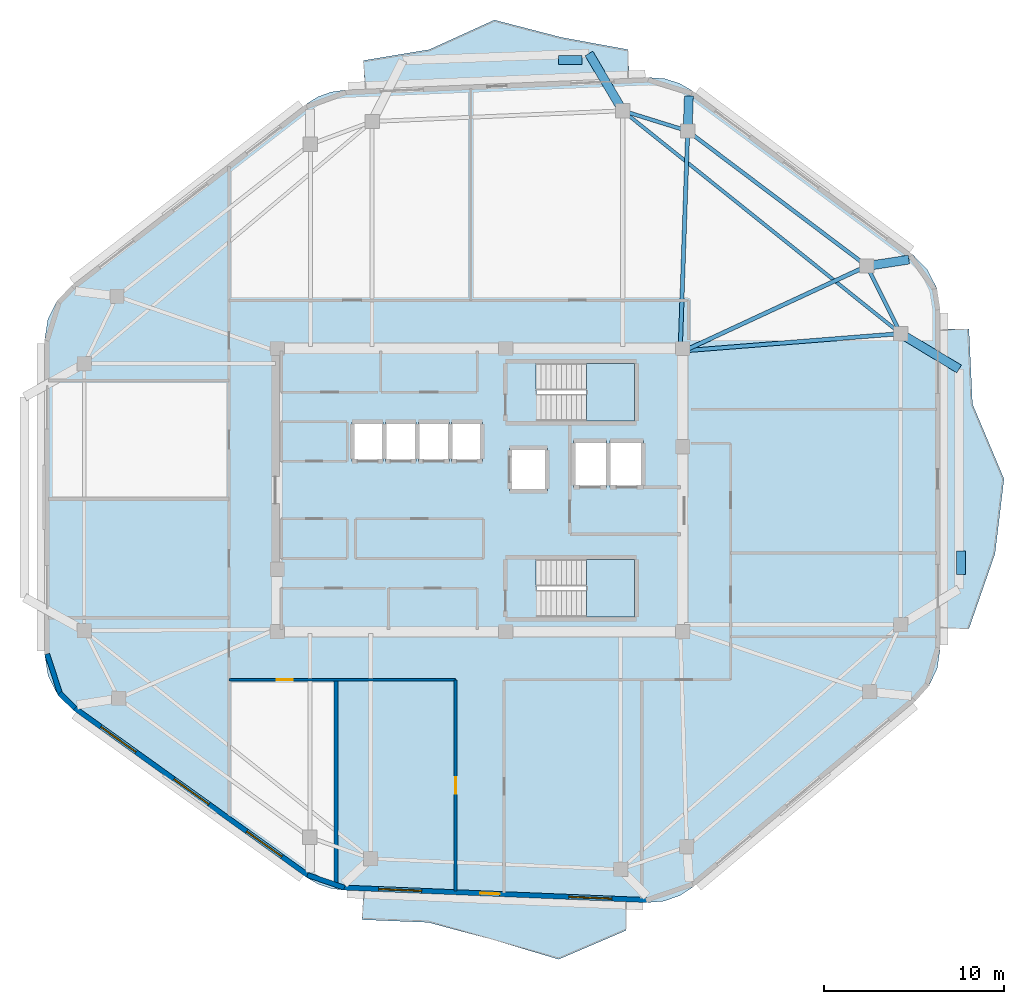
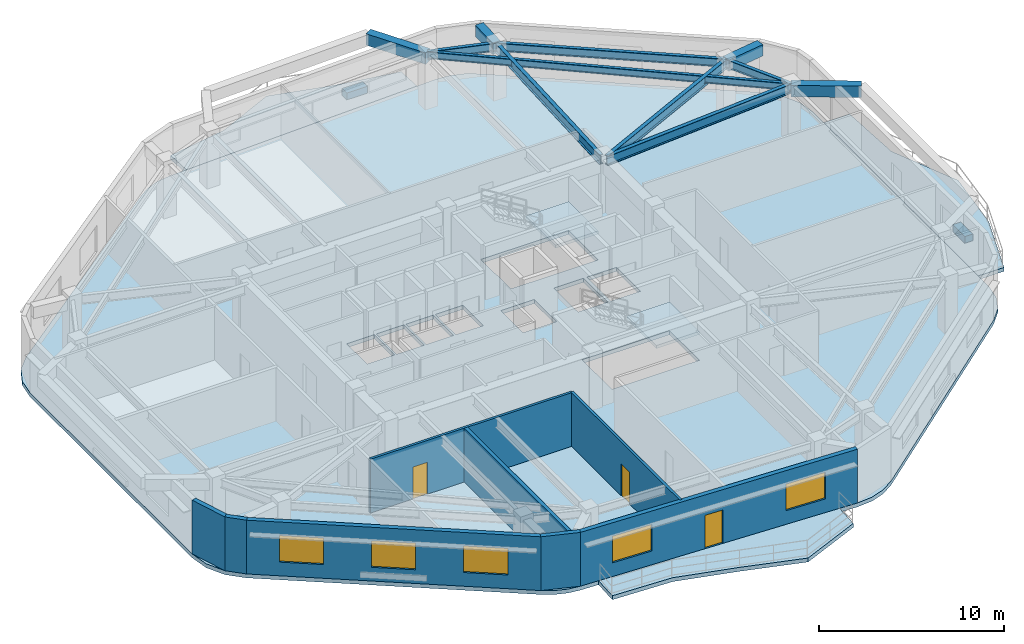
# One storey, part 2 of 8: 11 beams, 8 walls, 6 slabs, 5 windows, 3 doors, 2 plates, 8 openings, 2 elements without a shape of their own.
"""IFC4 building model written with IfcOpenShell, lengths in metres."""

from ifc_helpers import new_model, si_unit, direction, frame, frame_2d, origin, origin_2d, place, context, subcontext, project, spatial, polyline, rectangle, i_section, outline, extrude, material, layer, layer_set, material_profile, profile_set, type_object, element, fill, aggregate, save


model = new_model("IFC4")

# Units and contexts
model_context = context("Model", 3, precision=1e-05, world=origin(), true_north=direction((0.0, 1.0)))
body_context = subcontext(model_context, "Body", "Model", "MODEL_VIEW")
ifc_project = project(units=[si_unit("LENGTHUNIT", "METRE"), si_unit("AREAUNIT", "SQUARE_METRE"), si_unit("VOLUMEUNIT", "CUBIC_METRE"), si_unit("PLANEANGLEUNIT", "RADIAN"), si_unit("MASSUNIT", "GRAM", prefix="KILO")], contexts=[model_context])

# Site, building, storey
site_placement = place(None, origin())
site = spatial("IfcSite", under=ifc_project, at=site_placement, CompositionType="ELEMENT")
building_placement = place(site_placement, origin())
building = spatial("IfcBuilding", under=site, at=building_placement, Name="Zulverin Broadcast Headquarters", CompositionType="ELEMENT")
storey_placement = place(building_placement, frame((0.0, 0.0, 274.39990234375)))
storey = spatial("IfcBuildingStorey", under=building, at=storey_placement, Name="L70", CompositionType="ELEMENT", Elevation=274.39990234375)

# Beams
ifc_material_1 = material(Name="Concrete C40/50", Category="concrete")
ifc_material_profile_1 = material_profile(ifc_material_1, rectangle(XDim=0.5, YDim=0.75, at=origin_2d()), Name="Concrete C40/50", Category="concrete")
ifc_profile_set_1 = profile_set([ifc_material_profile_1], Name="Concrete C40/50")
beam_type_1 = type_object("IfcBeamType", Name="BM-RC-500x750", PredefinedType="BEAM", material=ifc_profile_set_1)
beam_1_placement = place(storey_placement, frame((58.52587890625, 37.661865234375, 3.1650390625), z_axis=(0.988495750069, 0.151248643286, 0.0), x_axis=(-0.151248643286, 0.988495750069, 0.0)))
element("IfcBeam", 1, at=beam_1_placement, inside=storey, type_object=beam_type_1, Name="L71 Plate Overhang Back-Spanned Beam OVR-07", PredefinedType="BEAM", context=body_context, shape_type="SweptSolid", body=[
    extrude(rectangle(XDim=0.5, YDim=0.75, at=origin_2d()), origin(), (0.0, 0.0, 1.0), 2.35986328125),
])
beam_2_placement = place(storey_placement, frame((48.55908203125, 45.172607421875, 3.1650390625), z_axis=(0.032637714701, 0.999467247877, 0.0), x_axis=(-0.999467247877, 0.032637714701, 0.0)))
element("IfcBeam", 2, at=beam_2_placement, inside=storey, type_object=beam_type_1, Name="L71 Plate Overhang Back-Spanned Beam OVR-08", PredefinedType="BEAM", context=body_context, shape_type="SweptSolid", body=[
    extrude(rectangle(XDim=0.5, YDim=0.75, at=origin_2d()), origin(), (0.0, 0.0, 1.0), 1.94482421875),
])
beam_3_placement = place(storey_placement, frame((60.39990234375, 33.903076171875, 3.1650390625), z_axis=(0.855759105742, -0.517374480371, 0.0), x_axis=(0.517374480371, 0.855759105742, 0.0)))
element("IfcBeam", 3, at=beam_3_placement, inside=storey, type_object=beam_type_1, Name="L71 Balcony Column-Framed Cantilever BAL_E-2", PredefinedType="BEAM", context=body_context, shape_type="SweptSolid", body=[
    extrude(rectangle(XDim=0.5, YDim=0.75, at=origin_2d()), origin(), (0.0, 0.0, 1.0), 3.800048828125),
])
beam_4_placement = place(storey_placement, frame((44.944580078125, 46.296630859375, 3.1650390625), z_axis=(-0.507406875241, 0.861706599115, 0.0), x_axis=(-0.861706599115, -0.507406875241, 0.0)))
element("IfcBeam", 4, at=beam_4_placement, inside=storey, type_object=beam_type_1, Name="L71 Balcony Column-Framed Cantilever BAL_N-1", PredefinedType="BEAM", context=body_context, shape_type="SweptSolid", body=[
    extrude(rectangle(XDim=0.5, YDim=0.75, at=origin_2d()), origin(), (0.0, 0.0, 1.0), 3.6962890625),
])
ifc_material_2 = material(Name="Structural steel S355JR", Category="steel")
ifc_material_profile_2 = material_profile(ifc_material_2, i_section(OverallWidth=0.19287109375, OverallDepth=0.46728515625, WebThickness=0.011474609375, FlangeThickness=0.01953125, at=origin_2d()), Name="Structural steel S355JR", Category="steel")
ifc_profile_set_2 = profile_set([ifc_material_profile_2], Name="Structural steel S355JR")
beam_type_2 = type_object("IfcBeamType", Name="BM-UB-457", PredefinedType="JOIST", material=ifc_profile_set_2)
beam_5_placement = place(storey_placement, frame((60.39990234375, 33.903076171875, 3.306396484375), z_axis=(-0.78014690603, 0.625596359493, 0.0), x_axis=(-0.625596359493, -0.78014690603, 0.0)))
element("IfcBeam", 5, at=beam_5_placement, inside=storey, type_object=beam_type_2, Name="L70 Chordal Floor Joist J-02", PredefinedType="JOIST", context=body_context, shape_type="SweptSolid", body=[
    extrude(i_section(OverallWidth=0.19287109375, OverallDepth=0.46728515625, WebThickness=0.011474609375, FlangeThickness=0.01953125, at=origin_2d()), origin(), (0.0, 0.0, 1.0), 19.810791015625),
])
ifc_material_profile_3 = material_profile(ifc_material_2, i_section(OverallWidth=0.2119140625, OverallDepth=0.54443359375, WebThickness=0.0126953125, FlangeThickness=0.021240234375, at=origin_2d()), Name="Structural steel S355JR", Category="steel")
ifc_profile_set_3 = profile_set([ifc_material_profile_3], Name="Structural steel S355JR")
beam_type_3 = type_object("IfcBeamType", Name="BM-UB-533", PredefinedType="SPANDREL", material=ifc_profile_set_3)
beam_6_placement = place(storey_placement, frame((60.39990234375, 33.903076171875, 3.267822265625), z_axis=(-0.446190250792, 0.894938131995, 0.0), x_axis=(-0.894938131995, -0.446190250792, 0.0)))
element("IfcBeam", 6, at=beam_6_placement, inside=storey, type_object=beam_type_3, Name="L70 Perimeter Spandrel Beam SP-06", PredefinedType="SPANDREL", context=body_context, shape_type="SweptSolid", body=[
    extrude(i_section(OverallWidth=0.2119140625, OverallDepth=0.54443359375, WebThickness=0.0126953125, FlangeThickness=0.021240234375, at=origin_2d()), origin(), (0.0, 0.0, 1.0), 4.199951171875),
])
beam_7_placement = place(storey_placement, frame((58.52587890625, 37.661865234375, 3.267822265625), z_axis=(-0.798626958847, 0.60182637081, 0.0), x_axis=(-0.60182637081, -0.798626958847, 0.0)))
element("IfcBeam", 7, at=beam_7_placement, inside=storey, type_object=beam_type_3, Name="L70 Perimeter Spandrel Beam SP-07", PredefinedType="SPANDREL", context=body_context, shape_type="SweptSolid", body=[
    extrude(i_section(OverallWidth=0.2119140625, OverallDepth=0.54443359375, WebThickness=0.0126953125, FlangeThickness=0.021240234375, at=origin_2d()), origin(), (0.0, 0.0, 1.0), 12.47998046875),
])
beam_8_placement = place(storey_placement, frame((48.55908203125, 45.172607421875, 3.267822265625), z_axis=(-0.954893359596, 0.296948938033, 0.0), x_axis=(-0.296948938033, -0.954893359596, 0.0)))
element("IfcBeam", 8, at=beam_8_placement, inside=storey, type_object=beam_type_3, Name="L70 Perimeter Spandrel Beam SP-08", PredefinedType="SPANDREL", context=body_context, shape_type="SweptSolid", body=[
    extrude(i_section(OverallWidth=0.2119140625, OverallDepth=0.54443359375, WebThickness=0.0126953125, FlangeThickness=0.021240234375, at=origin_2d()), origin(), (0.0, 0.0, 1.0), 3.78515625),
])
ifc_material_profile_4 = material_profile(ifc_material_2, i_section(OverallWidth=0.230224609375, OverallDepth=0.6171875, WebThickness=0.01318359375, FlangeThickness=0.022216796875, at=origin_2d()), Name="Structural steel S355JR", Category="steel")
ifc_profile_set_4 = profile_set([ifc_material_profile_4], Name="Structural steel S355JR")
beam_type_4 = type_object("IfcBeamType", Name="BM-UB-610", PredefinedType="BEAM", material=ifc_profile_set_4)
beam_9_placement = place(storey_placement, frame((48.375, 32.949951171875, 3.2314453125), z_axis=(0.996873444671, 0.079014779064, 0.0), x_axis=(-0.079014779064, 0.996873444671, 0.0)))
element("IfcBeam", 9, at=beam_9_placement, inside=storey, type_object=beam_type_4, Name="L70 Radial Primary Floor Beam RB-06", PredefinedType="BEAM", context=body_context, shape_type="SweptSolid", body=[
    extrude(i_section(OverallWidth=0.230224609375, OverallDepth=0.6171875, WebThickness=0.01318359375, FlangeThickness=0.022216796875, at=origin_2d()), origin(), (0.0, 0.0, 1.0), 12.0625),
])
beam_10_placement = place(storey_placement, frame((48.375, 32.949951171875, 3.2314453125), z_axis=(0.90704288978, 0.421038235912, 0.0), x_axis=(-0.421038235912, 0.90704288978, 0.0)))
element("IfcBeam", 10, at=beam_10_placement, inside=storey, type_object=beam_type_4, Name="L70 Radial Primary Floor Beam RB-07", PredefinedType="BEAM", context=body_context, shape_type="SweptSolid", body=[
    extrude(i_section(OverallWidth=0.230224609375, OverallDepth=0.6171875, WebThickness=0.01318359375, FlangeThickness=0.022216796875, at=origin_2d()), origin(), (0.0, 0.0, 1.0), 11.191162109375),
])
beam_11_placement = place(storey_placement, frame((48.14990234375, 33.175048828125, 3.2314453125), z_axis=(0.034085428247, 0.999418922965, 0.0), x_axis=(-0.999418922965, 0.034085428247, 0.0)))
element("IfcBeam", 11, at=beam_11_placement, inside=storey, type_object=beam_type_4, Name="L70 Radial Primary Floor Beam RB-08", PredefinedType="BEAM", context=body_context, shape_type="SweptSolid", body=[
    extrude(i_section(OverallWidth=0.230224609375, OverallDepth=0.6171875, WebThickness=0.01318359375, FlangeThickness=0.022216796875, at=origin_2d()), origin(), (0.0, 0.0, 1.0), 12.004638671875),
])

# Plates
ifc_material_3 = material(Name="Precast concrete C45/55", Category="concrete")
ifc_layer_1 = layer(ifc_material_3, 0.449951171875, Name="Precast concrete C45/55", Category="concrete")
ifc_layer_set_1 = layer_set([ifc_layer_1], Name="Precast concrete C45/55")
plate_type = type_object("IfcPlateType", Name="PT-01_PRECAST_GFRC_TREE_PLANTER", PredefinedType="USERDEFINED", material=ifc_layer_set_1)
for number, where, z_axis, x_axis, name in (
    (12, (63.75, 21.159423828125, -0.0048828125), (0.0, 0.0, 1.0), (0.0, 1.0, 0.0), "L70 Precast GFRC Tree Planter BAL_E"),
    (13, (42.025390625, 49.115478515625, -0.0048828125), (0.0, 0.0, 1.0), (1.0, 0.0, 0.0), "L70 Precast GFRC Tree Planter BAL_N"),
):
    element("IfcPlate", number, at=place(storey_placement, frame(where, z_axis=z_axis, x_axis=x_axis)), inside=storey, type_object=plate_type, Name=name, ObjectType="PLANTER", PredefinedType="USERDEFINED", context=body_context, shape_type="SweptSolid", body=[
        extrude(rectangle(XDim=1.300048828125, YDim=0.5, at=origin_2d()), origin(), (0.0, 0.0, 1.0), 0.449951171875),
    ])

# Slabs
ifc_layer_2 = layer(ifc_material_1, 0.260009765625, Name="Concrete C40/50", Category="concrete")
ifc_layer_set_2 = layer_set([ifc_layer_2], Name="Concrete C40/50")
slab_type_1 = type_object("IfcSlabType", Name="SLB-BAL-260", PredefinedType="FLOOR", material=ifc_layer_set_2)
slab_1_placement = place(storey_placement, frame((0.0, 0.0, -0.260009765625)))
element("IfcSlab", 14, at=slab_1_placement, inside=storey, type_object=slab_type_1, Name="L70 Cantilevered Planted Balcony Slab BAL_E", PredefinedType="FLOOR", context=body_context, shape_type="SweptSolid", body=[
    extrude(outline(polyline([(62.60009765625, 34.150146484375), (62.60009765625, 17.49560546875), (64.199951171875, 17.49560546875), (65.64794921875, 21.6591796875), (66.14990234375, 25.82275390625), (64.396484375, 29.986328125), (64.199951171875, 34.150146484375), (62.60009765625, 34.150146484375)])), origin(), (0.0, 0.0, 1.0), 0.260009765625),
])
slab_2_placement = place(storey_placement, frame((0.0, 0.0, -0.260009765625)))
element("IfcSlab", 15, at=slab_2_placement, inside=storey, type_object=slab_type_1, Name="L70 Cantilevered Planted Balcony Slab BAL_S", PredefinedType="FLOOR", context=body_context, shape_type="SweptSolid", body=[
    extrude(outline(polyline([(45.185302734375, 2.305419921875), (30.521728515625, 2.908203125), (30.4560546875, 1.3095703125), (34.121826171875, 1.158935546875), (37.754150390625, 0.188232421875), (41.381591796875, -0.89501953125), (45.11962890625, 0.706787109375), (45.185302734375, 2.305419921875)])), origin(), (0.0, 0.0, 1.0), 0.260009765625),
])
slab_3_placement = place(storey_placement, frame((0.0, 0.0, -0.260009765625)))
element("IfcSlab", 16, at=slab_3_placement, inside=storey, type_object=slab_type_1, Name="L70 Cantilevered Planted Balcony Slab BAL_N", PredefinedType="FLOOR", context=body_context, shape_type="SweptSolid", body=[
    extrude(outline(polyline([(30.598388671875, 47.4951171875), (45.308837890625, 48.099609375), (45.2431640625, 49.6982421875), (41.531494140625, 50.37890625), (37.807861328125, 51.34423828125), (34.19140625, 49.69970703125), (30.532470703125, 49.093505859375), (30.598388671875, 47.4951171875)])), origin(), (0.0, 0.0, 1.0), 0.260009765625),
])

# Stair, slab
stair_type = type_object("IfcStairType", Name="ST-CORE-1500", PredefinedType="HALF_TURN_STAIR", material=ifc_material_1)
stair_1_placement = place(storey_placement, origin())
stair_1 = element("IfcStair", 17, at=stair_1_placement, inside=storey, type_object=stair_type, Name="L70 Core Exit Stair ST-1", PredefinedType="HALF_TURN_STAIR")
ifc_layer_3 = layer(ifc_material_1, 0.199951171875, Name="Concrete C40/50", Category="concrete")
ifc_layer_set_3 = layer_set([ifc_layer_3], Name="Concrete C40/50")
slab_type_2 = type_object("IfcSlabType", Name="SLB-ST-LND200", PredefinedType="LANDING", material=ifc_layer_set_3)
slab_4_placement = place(storey_placement, frame((0.0, 0.0, 1.7001953125)))
slab_4 = element("IfcSlab", 18, at=slab_4_placement, type_object=slab_type_2, Name="ST-1 landing 1", PredefinedType="LANDING", context=body_context, shape_type="SweptSolid", body=[
    extrude(outline(polyline([(42.929931640625, 29.050048828125), (45.60009765625, 29.050048828125), (45.60009765625, 32.25), (42.929931640625, 32.25), (42.929931640625, 29.050048828125)])), origin(), (0.0, 0.0, 1.0), 0.199951171875),
])
aggregate(stair_1, [slab_4])

stair_2_placement = place(storey_placement, origin())
stair_2 = element("IfcStair", 19, at=stair_2_placement, inside=storey, type_object=stair_type, Name="L70 Core Exit Stair ST-2", PredefinedType="HALF_TURN_STAIR")
slab_5_placement = place(storey_placement, frame((0.0, 0.0, 1.7001953125)))
slab_5 = element("IfcSlab", 20, at=slab_5_placement, type_object=slab_type_2, Name="ST-2 landing 1", PredefinedType="LANDING", context=body_context, shape_type="SweptSolid", body=[
    extrude(outline(polyline([(42.929931640625, 18.14990234375), (45.60009765625, 18.14990234375), (45.60009765625, 21.35009765625), (42.929931640625, 21.35009765625), (42.929931640625, 18.14990234375)])), origin(), (0.0, 0.0, 1.0), 0.199951171875),
])
aggregate(stair_2, [slab_5])

# Slab
ifc_layer_4 = layer(ifc_material_1, 0.260009765625, Name="Concrete C40/50", Category="concrete")
ifc_layer_set_4 = layer_set([ifc_layer_4], Name="Concrete C40/50")
slab_type_3 = type_object("IfcSlabType", Name="SLB-TWR-260", PredefinedType="FLOOR", material=ifc_layer_set_4)
slab_6_placement = place(storey_placement, frame((0.0, 0.0, -0.260009765625)))
element("IfcSlab", 21, at=slab_6_placement, inside=storey, type_object=slab_type_3, Name="L70 Main Structural Floor Slab", PredefinedType="FLOOR", context=body_context, shape_type="SweptSolid", body=[
    extrude(outline(polyline([(27.364990234375, 3.66162109375), (28.00048828125, 3.293212890625), (28.695068359375, 3.05419921875), (29.422607421875, 2.953369140625), (46.284423828125, 2.26025390625), (47.21337890625, 2.33642578125), (48.095703125, 2.63671875), (48.878662109375, 3.142333984375), (61.238037109375, 13.480712890625), (61.97265625, 14.30419921875), (62.439697265625, 15.3037109375), (62.60009765625, 16.3955078125), (62.60009765625, 35.25), (62.418212890625, 36.4111328125), (61.890625, 37.4609375), (61.0673828125, 38.299560546875), (48.831298828125, 47.3974609375), (48.087646484375, 47.8291015625), (47.265869140625, 48.08251953125), (46.407958984375, 48.144775390625), (29.499267578125, 47.44970703125), (28.726318359375, 47.337646484375), (27.992919921875, 47.070068359375), (27.329345703125, 46.657958984375), (14.274169921875, 36.552978515625), (13.481201171875, 35.71875), (12.974365234375, 34.685546875), (12.800048828125, 33.548095703125), (12.800048828125, 16.0517578125), (12.988525390625, 14.86962890625), (13.535400390625, 13.804931640625), (14.386474609375, 12.963134765625), (27.364990234375, 3.66162109375)]), holes=[polyline([(40.155029296875, 30.75), (40.130126953125, 30.75), (40.130126953125, 32.25), (45.60009765625, 32.25), (45.60009765625, 29.050048828125), (40.155029296875, 29.050048828125), (40.155029296875, 30.75)]), polyline([(40.155029296875, 19.85009765625), (40.130126953125, 19.85009765625), (40.130126953125, 21.35009765625), (45.60009765625, 21.35009765625), (45.60009765625, 18.14990234375), (40.155029296875, 18.14990234375), (40.155029296875, 19.85009765625)]), polyline([(29.89990234375, 26.800048828125), (31.6201171875, 26.800048828125), (31.6201171875, 29.0), (29.89990234375, 29.0), (29.89990234375, 26.800048828125)]), polyline([(31.739990234375, 26.800048828125), (33.4599609375, 26.800048828125), (33.4599609375, 29.0), (31.739990234375, 29.0), (31.739990234375, 26.800048828125)]), polyline([(33.580078125, 26.800048828125), (35.300048828125, 26.800048828125), (35.300048828125, 29.0), (33.580078125, 29.0), (33.580078125, 26.800048828125)]), polyline([(35.419921875, 26.800048828125), (37.139892578125, 26.800048828125), (37.139892578125, 29.0), (35.419921875, 29.0), (35.419921875, 26.800048828125)]), polyline([(42.199951171875, 25.35009765625), (44.050048828125, 25.35009765625), (44.050048828125, 27.949951171875), (42.199951171875, 27.949951171875), (42.199951171875, 25.35009765625)]), polyline([(44.25, 25.35009765625), (46.10009765625, 25.35009765625), (46.10009765625, 27.949951171875), (44.25, 27.949951171875), (44.25, 25.35009765625)]), polyline([(38.64990234375, 25.14990234375), (40.75, 25.14990234375), (40.75, 27.550048828125), (38.64990234375, 27.550048828125), (38.64990234375, 25.14990234375)])]), origin(), (0.0, 0.0, 1.0), 0.260009765625),
])

# Wall
ifc_material_4 = material(Name="Double-stud acoustic drywall", Category="gypsum")
ifc_layer_5 = layer(ifc_material_4, 0.219970703125, Name="Double-stud acoustic drywall", Category="gypsum")
ifc_layer_set_5 = layer_set([ifc_layer_5], Name="Double-stud acoustic drywall")
wall_type_1 = type_object("IfcWallType", Name="WL-ACOU-220", PredefinedType="PARTITIONING", material=ifc_layer_set_5)
wall_1_placement = place(storey_placement, frame((29.0, 3.217041015625, 0.0), z_axis=(0.0, 0.0, 1.0), x_axis=(0.0, 1.0, 0.0)))
element("IfcWall", 22, at=wall_1_placement, inside=storey, type_object=wall_type_1, Name="L70 Room Partition Wall RP-07", PredefinedType="PARTITIONING", context=body_context, shape_type="SweptSolid", body=[
    extrude(rectangle(XDim=11.432861328125, YDim=0.219970703125, at=frame_2d((5.71630859375, 0.0))), origin(), (0.0, 0.0, 1.0), 3.5400390625),
])

# Wall, openings, door, windows
ifc_material_5 = material(Name="Insulated pale-metal clad concrete spandrel C40/50", Category="concrete")
ifc_layer_6 = layer(ifc_material_5, 0.280029296875, Name="Insulated pale-metal clad concrete spandrel C40/50", Category="concrete")
ifc_layer_set_6 = layer_set([ifc_layer_6], Name="Insulated pale-metal clad concrete spandrel C40/50")
wall_type_2 = type_object("IfcWallType", Name="WL-EXT-280", PredefinedType="STANDARD", material=ifc_layer_set_6)
wall_2_placement = place(storey_placement, frame((29.42822265625, 3.09326171875, 0.0), z_axis=(0.0, 0.0, 1.0), x_axis=(0.999156257967, -0.041070331944, 0.0)))
wall_2 = element("IfcWall", 23, at=wall_2_placement, inside=storey, type_object=wall_type_2, Name="L70 Pale-Metal Clad Spandrel Wall 1", PredefinedType="STANDARD", context=body_context, shape_type="SweptSolid", body=[
    extrude(rectangle(XDim=16.876220703125, YDim=0.280029296875, at=frame_2d((8.43798828125, 0.0))), origin(), (0.0, 0.0, 1.0), 3.5400390625),
])
opening_1_placement = place(wall_2_placement, frame((7.588134765625, 0.0, 0.0)))
opening_1 = element("IfcOpeningElement", 24, at=opening_1_placement, cuts=wall_2, Name="Opening D-L70-TR1", PredefinedType="OPENING", context=body_context, shape_type="SweptSolid", body=[
    extrude(rectangle(XDim=1.10009765625, YDim=2.199951171875, at=frame_2d((0.550048828125, 1.10009765625))), frame((0.0, 0.14990234375, 0.0), z_axis=(0.0, -1.0, 0.0), x_axis=(1.0, 0.0, 0.0)), (0.0, 0.0, 1.0), 0.300048828125),
])
opening_2_placement = place(wall_2_placement, frame((1.946044921875, 0.0, 0.89990234375)))
opening_2 = element("IfcOpeningElement", 25, at=opening_2_placement, cuts=wall_2, Name="Opening W-L70-E11", PredefinedType="OPENING", context=body_context, shape_type="SweptSolid", body=[
    extrude(rectangle(XDim=2.39990234375, YDim=1.75, at=frame_2d((1.199951171875, 0.875))), frame((0.0, 0.14990234375, 0.0), z_axis=(0.0, -1.0, 0.0), x_axis=(1.0, 0.0, 0.0)), (0.0, 0.0, 1.0), 0.300048828125),
])
opening_3_placement = place(wall_2_placement, frame((12.530029296875, 0.0, 0.89990234375)))
opening_3 = element("IfcOpeningElement", 26, at=opening_3_placement, cuts=wall_2, Name="Opening W-L70-E12", PredefinedType="OPENING", context=body_context, shape_type="SweptSolid", body=[
    extrude(rectangle(XDim=2.39990234375, YDim=1.75, at=frame_2d((1.199951171875, 0.875))), frame((0.0, 0.14990234375, 0.0), z_axis=(0.0, -1.0, 0.0), x_axis=(1.0, 0.0, 0.0)), (0.0, 0.0, 1.0), 0.300048828125),
])
ifc_material_6 = material(Name="Thermally broken aluminium glazed", Category="aluminium")
door_type_1 = type_object("IfcDoorType", Name="DR-TERR-1100", OperationType="SINGLE_SWING_RIGHT", PredefinedType="DOOR", material=ifc_material_6)
door_1_placement = place(opening_1_placement, origin())
door_1 = element("IfcDoor", 27, at=door_1_placement, inside=storey, type_object=door_type_1, Name="L70 Planted Terrace Glazed Access Door 1", OperationType="SINGLE_SWING_RIGHT", OverallHeight=2.199951171875, OverallWidth=1.10009765625, PredefinedType="DOOR", context=body_context, shape_type="SweptSolid", body=[
    extrude(rectangle(XDim=1.10009765625, YDim=2.199951171875, at=frame_2d((0.550048828125, 1.10009765625))), frame((0.0, 0.02490234375, 0.0), z_axis=(0.0, -1.0, 0.0), x_axis=(1.0, 0.0, 0.0)), (0.0, 0.0, 1.0), 0.050048828125),
])
fill(opening_1, door_1)
ifc_material_7 = material(Name="Pale anodized aluminium frame with solar-control low-E double glazing", Category="aluminium")
window_type = type_object("IfcWindowType", Name="WIN-RIB-2400", PartitioningType="SINGLE_PANEL", PredefinedType="WINDOW", material=ifc_material_7)
window_1_placement = place(opening_2_placement, origin())
window_1 = element("IfcWindow", 28, at=window_1_placement, inside=storey, type_object=window_type, Name="L70 Ribbon Glazing Window 1 1", OverallHeight=1.75, OverallWidth=2.39990234375, PartitioningType="SINGLE_PANEL", PredefinedType="WINDOW", context=body_context, shape_type="SweptSolid", body=[
    extrude(rectangle(XDim=2.39990234375, YDim=1.75, at=frame_2d((1.199951171875, 0.875))), frame((0.0, 0.030029296875, 0.0), z_axis=(0.0, -1.0, 0.0), x_axis=(1.0, 0.0, 0.0)), (0.0, 0.0, 1.0), 0.06005859375),
])
fill(opening_2, window_1)
window_2_placement = place(opening_3_placement, origin())
window_2 = element("IfcWindow", 29, at=window_2_placement, inside=storey, type_object=window_type, Name="L70 Ribbon Glazing Window 1 2", OverallHeight=1.75, OverallWidth=2.39990234375, PartitioningType="SINGLE_PANEL", PredefinedType="WINDOW", context=body_context, shape_type="SweptSolid", body=[
    extrude(rectangle(XDim=2.39990234375, YDim=1.75, at=frame_2d((1.199951171875, 0.875))), frame((0.0, 0.030029296875, 0.0), z_axis=(0.0, -1.0, 0.0), x_axis=(1.0, 0.0, 0.0)), (0.0, 0.0, 1.0), 0.06005859375),
])
fill(opening_3, window_2)

# Wall, openings, windows
wall_3_placement = place(storey_placement, frame((14.468017578125, 13.076904296875, 0.0), z_axis=(0.0, 0.0, 1.0), x_axis=(0.812809888039, -0.582529042972, 0.0)))
wall_3 = element("IfcWall", 30, at=wall_3_placement, inside=storey, type_object=wall_type_2, Name="L70 Pale-Metal Clad Spandrel Wall 8", PredefinedType="STANDARD", context=body_context, shape_type="SweptSolid", body=[
    extrude(rectangle(XDim=15.967529296875, YDim=0.280029296875, at=frame_2d((7.98388671875, 0.0))), origin(), (0.0, 0.0, 1.0), 3.5400390625),
])
opening_4_placement = place(wall_3_placement, frame((1.794677734375, 0.0, 0.89990234375)))
opening_4 = element("IfcOpeningElement", 31, at=opening_4_placement, cuts=wall_3, Name="Opening W-L70-E81", PredefinedType="OPENING", context=body_context, shape_type="SweptSolid", body=[
    extrude(rectangle(XDim=2.39990234375, YDim=1.75, at=frame_2d((1.199951171875, 0.875))), frame((0.0, 0.14990234375, 0.0), z_axis=(0.0, -1.0, 0.0), x_axis=(1.0, 0.0, 0.0)), (0.0, 0.0, 1.0), 0.300048828125),
])
opening_5_placement = place(wall_3_placement, frame((6.78369140625, 0.0, 0.89990234375)))
opening_5 = element("IfcOpeningElement", 32, at=opening_5_placement, cuts=wall_3, Name="Opening W-L70-E82", PredefinedType="OPENING", context=body_context, shape_type="SweptSolid", body=[
    extrude(rectangle(XDim=2.39990234375, YDim=1.75, at=frame_2d((1.199951171875, 0.875))), frame((0.0, 0.14990234375, 0.0), z_axis=(0.0, -1.0, 0.0), x_axis=(1.0, 0.0, 0.0)), (0.0, 0.0, 1.0), 0.300048828125),
])
opening_6_placement = place(wall_3_placement, frame((11.77294921875, 0.0, 0.89990234375)))
opening_6 = element("IfcOpeningElement", 33, at=opening_6_placement, cuts=wall_3, Name="Opening W-L70-E83", PredefinedType="OPENING", context=body_context, shape_type="SweptSolid", body=[
    extrude(rectangle(XDim=2.39990234375, YDim=1.75, at=frame_2d((1.199951171875, 0.875))), frame((0.0, 0.14990234375, 0.0), z_axis=(0.0, -1.0, 0.0), x_axis=(1.0, 0.0, 0.0)), (0.0, 0.0, 1.0), 0.300048828125),
])
window_3_placement = place(opening_4_placement, origin())
window_3 = element("IfcWindow", 34, at=window_3_placement, inside=storey, type_object=window_type, Name="L70 Ribbon Glazing Window 8 1", OverallHeight=1.75, OverallWidth=2.39990234375, PartitioningType="SINGLE_PANEL", PredefinedType="WINDOW", context=body_context, shape_type="SweptSolid", body=[
    extrude(rectangle(XDim=2.39990234375, YDim=1.75, at=frame_2d((1.199951171875, 0.875))), frame((0.0, 0.030029296875, 0.0), z_axis=(0.0, -1.0, 0.0), x_axis=(1.0, 0.0, 0.0)), (0.0, 0.0, 1.0), 0.06005859375),
])
fill(opening_4, window_3)
window_4_placement = place(opening_5_placement, origin())
window_4 = element("IfcWindow", 35, at=window_4_placement, inside=storey, type_object=window_type, Name="L70 Ribbon Glazing Window 8 2", OverallHeight=1.75, OverallWidth=2.39990234375, PartitioningType="SINGLE_PANEL", PredefinedType="WINDOW", context=body_context, shape_type="SweptSolid", body=[
    extrude(rectangle(XDim=2.39990234375, YDim=1.75, at=frame_2d((1.199951171875, 0.875))), frame((0.0, 0.030029296875, 0.0), z_axis=(0.0, -1.0, 0.0), x_axis=(1.0, 0.0, 0.0)), (0.0, 0.0, 1.0), 0.06005859375),
])
fill(opening_5, window_4)
window_5_placement = place(opening_6_placement, origin())
window_5 = element("IfcWindow", 36, at=window_5_placement, inside=storey, type_object=window_type, Name="L70 Ribbon Glazing Window 8 3", OverallHeight=1.75, OverallWidth=2.39990234375, PartitioningType="SINGLE_PANEL", PredefinedType="WINDOW", context=body_context, shape_type="SweptSolid", body=[
    extrude(rectangle(XDim=2.39990234375, YDim=1.75, at=frame_2d((1.199951171875, 0.875))), frame((0.0, 0.030029296875, 0.0), z_axis=(0.0, -1.0, 0.0), x_axis=(1.0, 0.0, 0.0)), (0.0, 0.0, 1.0), 0.06005859375),
])
fill(opening_6, window_5)

# Walls
wall_4_placement = place(storey_placement, frame((12.93310546875, 16.09521484375, 0.0), z_axis=(0.0, 0.0, 1.0), x_axis=(0.3110492363, -0.950393798695, 0.0)))
element("IfcWall", 37, at=wall_4_placement, inside=storey, type_object=wall_type_2, Name="L70 Wind-Shaped Corner Spandrel Wall 7-1", PredefinedType="STANDARD", context=body_context, shape_type="SweptSolid", body=[
    extrude(rectangle(XDim=2.364013671875, YDim=0.280029296875, at=frame_2d((1.18212890625, 0.0))), origin(), (0.0, 0.0, 1.0), 3.5400390625),
])
wall_5_placement = place(storey_placement, frame((13.6337890625, 13.904296875, 0.0), z_axis=(0.0, 0.0, 1.0), x_axis=(0.710971221429, -0.703221104845, 0.0)))
element("IfcWall", 38, at=wall_5_placement, inside=storey, type_object=wall_type_2, Name="L70 Wind-Shaped Corner Spandrel Wall 7-2", PredefinedType="STANDARD", context=body_context, shape_type="SweptSolid", body=[
    extrude(rectangle(XDim=1.197021484375, YDim=0.280029296875, at=frame_2d((0.5986328125, 0.0))), origin(), (0.0, 0.0, 1.0), 3.5400390625),
])
wall_6_placement = place(storey_placement, frame((27.41064453125, 3.7939453125, 0.0), z_axis=(0.0, 0.0, 1.0), x_axis=(0.945552869008, -0.325468542121, 0.0)))
element("IfcWall", 39, at=wall_6_placement, inside=storey, type_object=wall_type_2, Name="L70 Wind-Shaped Corner Spandrel Wall 8-1", PredefinedType="STANDARD", context=body_context, shape_type="SweptSolid", body=[
    extrude(rectangle(XDim=2.176025390625, YDim=0.280029296875, at=frame_2d((1.087890625, 0.0))), origin(), (0.0, 0.0, 1.0), 3.5400390625),
])

# Wall, opening, door
ifc_material_8 = material(Name="Fire-rated gypsum stud partition", Category="gypsum")
ifc_layer_7 = layer(ifc_material_8, 0.14990234375, Name="Fire-rated gypsum stud partition", Category="gypsum")
ifc_layer_set_7 = layer_set([ifc_layer_7], Name="Fire-rated gypsum stud partition")
wall_type_3 = type_object("IfcWallType", Name="WL-PART-150", PredefinedType="PARTITIONING", material=ifc_layer_set_7)
wall_7_placement = place(storey_placement, frame((35.64990234375, 2.90234375, 0.0), z_axis=(0.0, 0.0, 1.0), x_axis=(0.0, 1.0, 0.0)))
wall_7 = element("IfcWall", 40, at=wall_7_placement, inside=storey, type_object=wall_type_3, Name="L70 Gallery Partition Wall CG-06", PredefinedType="PARTITIONING", context=body_context, shape_type="SweptSolid", body=[
    extrude(rectangle(XDim=11.74755859375, YDim=0.14990234375, at=frame_2d((5.873779296875, 0.0))), origin(), (0.0, 0.0, 1.0), 3.5400390625),
])
opening_7_placement = place(wall_7_placement, frame((5.423828125, 0.0, 0.0)))
opening_7 = element("IfcOpeningElement", 41, at=opening_7_placement, cuts=wall_7, Name="Opening D-L70-04", PredefinedType="OPENING", context=body_context, shape_type="SweptSolid", body=[
    extrude(rectangle(XDim=0.89990234375, YDim=2.10009765625, at=frame_2d((0.449951171875, 1.050048828125))), frame((0.0, 0.0849609375, 0.0), z_axis=(0.0, -1.0, 0.0), x_axis=(1.0, 0.0, 0.0)), (0.0, 0.0, 1.0), 0.169921875),
])
ifc_material_9 = material(Name="Fire-rated hardwood veneer timber leaf", Category="wood")
door_type_2 = type_object("IfcDoorType", Name="DR-ROOM-900", OperationType="SINGLE_SWING_RIGHT", PredefinedType="DOOR", material=ifc_material_9)
door_2_placement = place(opening_7_placement, origin())
door_2 = element("IfcDoor", 42, at=door_2_placement, inside=storey, type_object=door_type_2, Name="L70 Executive Screening Suite Door", OperationType="SINGLE_SWING_LEFT", OverallHeight=2.10009765625, OverallWidth=0.89990234375, PredefinedType="DOOR", context=body_context, shape_type="SweptSolid", body=[
    extrude(rectangle(XDim=0.89990234375, YDim=2.10009765625, at=frame_2d((0.449951171875, 1.050048828125))), frame((0.0, 0.02490234375, 0.0), z_axis=(0.0, -1.0, 0.0), x_axis=(1.0, 0.0, 0.0)), (0.0, 0.0, 1.0), 0.050048828125),
])
fill(opening_7, door_2)

wall_8_placement = place(storey_placement, frame((23.050048828125, 14.64990234375, 0.0), z_axis=(0.0, 0.0, 1.0), x_axis=(1.0, 0.0, 0.0)))
wall_8 = element("IfcWall", 43, at=wall_8_placement, inside=storey, type_object=wall_type_3, Name="L70 Gallery Partition Wall CG-09", PredefinedType="PARTITIONING", context=body_context, shape_type="SweptSolid", body=[
    extrude(rectangle(XDim=12.599853515625, YDim=0.14990234375, at=frame_2d((6.2998046875, 0.0))), origin(), (0.0, 0.0, 1.0), 3.5400390625),
])
opening_8_placement = place(wall_8_placement, frame((2.64501953125, 0.0, 0.0)))
opening_8 = element("IfcOpeningElement", 44, at=opening_8_placement, cuts=wall_8, Name="Opening D-L70-03", PredefinedType="OPENING", context=body_context, shape_type="SweptSolid", body=[
    extrude(rectangle(XDim=0.89990234375, YDim=2.10009765625, at=frame_2d((0.449951171875, 1.050048828125))), frame((0.0, 0.0849609375, 0.0), z_axis=(0.0, -1.0, 0.0), x_axis=(1.0, 0.0, 0.0)), (0.0, 0.0, 1.0), 0.169921875),
])
door_3_placement = place(opening_8_placement, origin())
door_3 = element("IfcDoor", 45, at=door_3_placement, inside=storey, type_object=door_type_2, Name="L70 Broadcast Heritage Museum Door", OperationType="SINGLE_SWING_RIGHT", OverallHeight=2.10009765625, OverallWidth=0.89990234375, PredefinedType="DOOR", context=body_context, shape_type="SweptSolid", body=[
    extrude(rectangle(XDim=0.89990234375, YDim=2.10009765625, at=frame_2d((0.449951171875, 1.050048828125))), frame((0.0, 0.02490234375, 0.0), z_axis=(0.0, -1.0, 0.0), x_axis=(1.0, 0.0, 0.0)), (0.0, 0.0, 1.0), 0.050048828125),
])
fill(opening_8, door_3)

save(model, "model.ifc")
